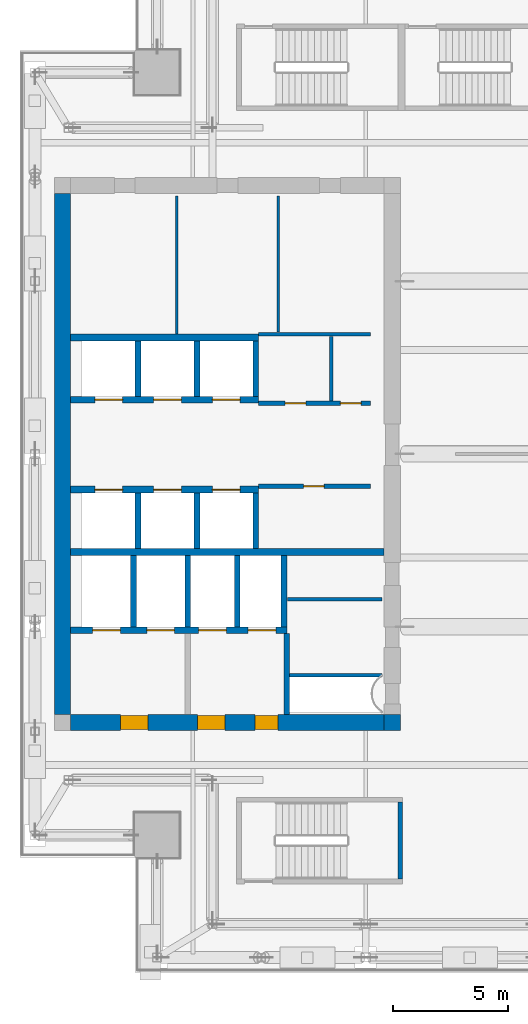
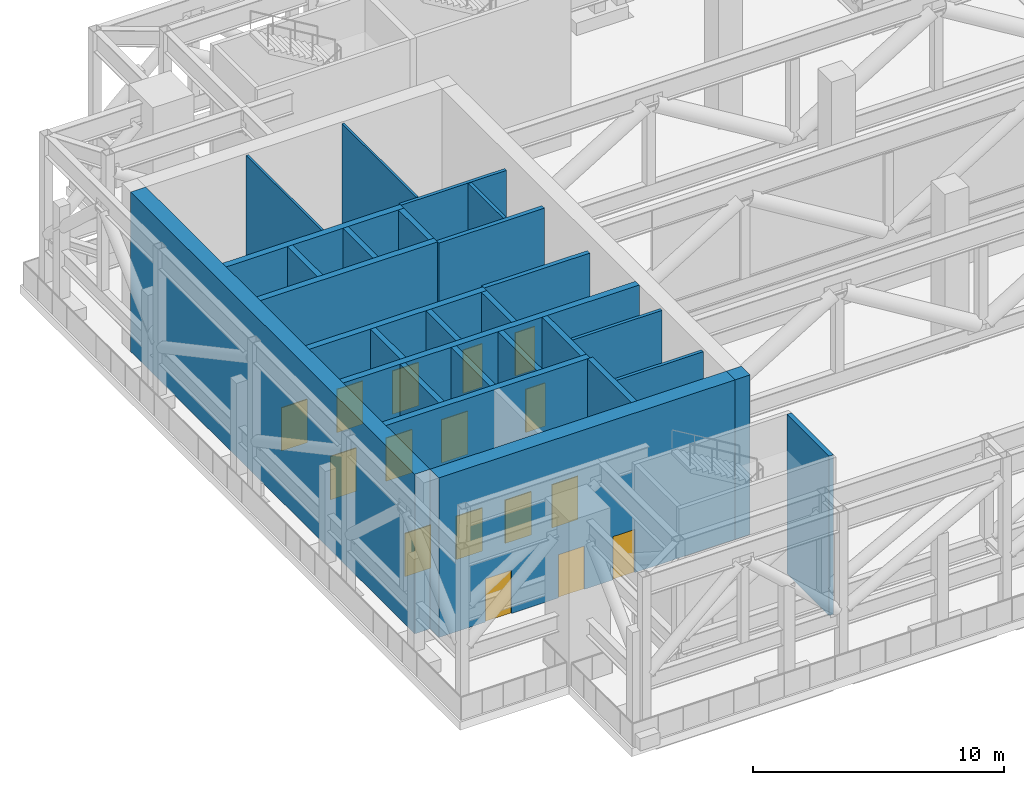
# One storey, part 8 of 15: 28 walls, 16 doors, 16 openings.
"""IFC4 building model written with IfcOpenShell, lengths in metres."""

from ifc_helpers import new_model, si_unit, direction, frame, frame_2d, origin, place, context, subcontext, project, spatial, rectangle, extrude, source, transform, mapped, material, layer, layer_set, type_object, element, fill, save


model = new_model("IFC4")

# Units and contexts
model_context = context("Model", 3, precision=1e-05, world=origin(), true_north=direction((0.0, 1.0)))
body_context = subcontext(model_context, "Body", "Model", "MODEL_VIEW")
ifc_project = project(units=[si_unit("LENGTHUNIT", "METRE"), si_unit("AREAUNIT", "SQUARE_METRE"), si_unit("VOLUMEUNIT", "CUBIC_METRE"), si_unit("PLANEANGLEUNIT", "RADIAN"), si_unit("MASSUNIT", "GRAM", prefix="KILO")], contexts=[model_context])

# Site, building, storey
site_placement = place(None, origin())
site = spatial("IfcSite", under=ifc_project, at=site_placement, CompositionType="ELEMENT")
building_placement = place(site_placement, origin())
building = spatial("IfcBuilding", under=site, at=building_placement, Name="Khomas Fold Tower", CompositionType="ELEMENT")
storey_placement = place(building_placement, frame((0.0, 0.0, 274.199951171875)))
storey = spatial("IfcBuildingStorey", under=building, at=storey_placement, Name="L62", CompositionType="ELEMENT", Elevation=274.199951171875)

# Wall, openings, doors
ifc_material_1 = material(Name="Concrete C60/75", Category="concrete")
ifc_layer_1 = layer(ifc_material_1, 0.699951171875)
ifc_layer_set_1 = layer_set([ifc_layer_1], Name="Concrete C60/75")
wall_type_1 = type_object("IfcWallType", Name="Core wall 700", PredefinedType="SHEAR", material=ifc_layer_set_1)
shared_shape_1 = source(origin(), body_context, "Body", "SweptSolid", [
    extrude(rectangle(XDim=13.60009765625, YDim=0.699951171875, at=frame_2d((6.800048828125, 0.0))), origin(), (0.0, 0.0, 1.0), 7.75),
])
wall_1_placement = place(storey_placement, frame((6.699951171875, 15.35009765625, 0.0), z_axis=(0.0, 0.0, 1.0), x_axis=(1.0, 0.0, 0.0)))
wall_1 = element("IfcWall", 1, at=wall_1_placement, inside=storey, type_object=wall_type_1, Name="Core wall CW-U-S-L49", PredefinedType="SHEAR", context=body_context, shape_type="MappedRepresentation", body=[
    mapped(shared_shape_1, transform((0.0, 0.0, 0.0))),
])
shared_shape_2 = source(origin(), body_context, "Body", "SweptSolid", [
    extrude(rectangle(XDim=1.199951171875, YDim=2.10009765625, at=frame_2d((0.60009765625, 1.050048828125))), frame((0.0, 0.35986328125, 0.0), z_axis=(0.0, -1.0, 0.0), x_axis=(1.0, 0.0, 0.0)), (0.0, 0.0, 1.0), 0.719970703125),
])
opening_1_placement = place(wall_1_placement, frame((5.5, 0.0, 0.0)))
opening_1 = element("IfcOpeningElement", 2, at=opening_1_placement, cuts=wall_1, Name="Opening 0009", PredefinedType="OPENING", context=body_context, shape_type="MappedRepresentation", body=[
    mapped(shared_shape_2, transform((0.0, 0.0, 0.0))),
])
opening_2_placement = place(wall_1_placement, frame((2.14990234375, 0.0, 0.0)))
opening_2 = element("IfcOpeningElement", 3, at=opening_2_placement, cuts=wall_1, Name="Opening 0009", PredefinedType="OPENING", context=body_context, shape_type="MappedRepresentation", body=[
    mapped(shared_shape_2, transform((0.0, 0.0, 0.0))),
])
shared_shape_3 = source(origin(), body_context, "Body", "SweptSolid", [
    extrude(rectangle(XDim=1.0, YDim=2.10009765625, at=frame_2d((0.5, 1.050048828125))), frame((0.0, 0.35986328125, 0.0), z_axis=(0.0, -1.0, 0.0), x_axis=(1.0, 0.0, 0.0)), (0.0, 0.0, 1.0), 0.719970703125),
])
opening_3_placement = place(wall_1_placement, frame((8.0, 0.0, 0.0)))
opening_3 = element("IfcOpeningElement", 4, at=opening_3_placement, cuts=wall_1, Name="Opening 0010", PredefinedType="OPENING", context=body_context, shape_type="MappedRepresentation", body=[
    mapped(shared_shape_3, transform((0.0, 0.0, 0.0))),
])
ifc_material_2 = material(Name="Steel door leaf", Category="steel")
door_type_1 = type_object("IfcDoorType", Name="Lobby door 1200x2100 right-hand", OperationType="SINGLE_SWING_RIGHT", PredefinedType="DOOR", material=ifc_material_2)
shared_shape_4 = source(origin(), body_context, "Body", "SweptSolid", [
    extrude(rectangle(XDim=1.199951171875, YDim=2.10009765625, at=frame_2d((0.60009765625, 1.050048828125))), frame((0.0, 0.2998046875, 0.0), z_axis=(0.0, -1.0, 0.0), x_axis=(1.0, 0.0, 0.0)), (0.0, 0.0, 1.0), 0.599853515625),
])
door_1_placement = place(opening_1_placement, origin())
door_1 = element("IfcDoor", 5, at=door_1_placement, inside=storey, type_object=door_type_1, Name="Lobby door", OperationType="SINGLE_SWING_RIGHT", OverallHeight=2.10009765625, OverallWidth=1.199951171875, PredefinedType="DOOR", context=body_context, shape_type="MappedRepresentation", body=[
    mapped(shared_shape_4, transform((0.0, 0.0, 0.0))),
])
fill(opening_1, door_1)
door_2_placement = place(opening_2_placement, origin())
door_2 = element("IfcDoor", 6, at=door_2_placement, inside=storey, type_object=door_type_1, Name="Lobby door", OperationType="SINGLE_SWING_RIGHT", OverallHeight=2.10009765625, OverallWidth=1.199951171875, PredefinedType="DOOR", context=body_context, shape_type="MappedRepresentation", body=[
    mapped(shared_shape_4, transform((0.0, 0.0, 0.0))),
])
fill(opening_2, door_2)
ifc_material_3 = material(Name="Steel door leaf", Category="steel")
door_type_2 = type_object("IfcDoorType", Name="Stair door 1000x2100 right-hand", OperationType="SINGLE_SWING_RIGHT", PredefinedType="DOOR", material=ifc_material_3)
shared_shape_5 = source(origin(), body_context, "Body", "SweptSolid", [
    extrude(rectangle(XDim=1.0, YDim=2.10009765625, at=frame_2d((0.5, 1.050048828125))), frame((0.0, 0.2998046875, 0.0), z_axis=(0.0, -1.0, 0.0), x_axis=(1.0, 0.0, 0.0)), (0.0, 0.0, 1.0), 0.599853515625),
])
door_3_placement = place(opening_3_placement, origin())
door_3 = element("IfcDoor", 7, at=door_3_placement, inside=storey, type_object=door_type_2, Name="Stair door", OperationType="SINGLE_SWING_RIGHT", OverallHeight=2.10009765625, OverallWidth=1.0, PredefinedType="DOOR", context=body_context, shape_type="MappedRepresentation", body=[
    mapped(shared_shape_5, transform((0.0, 0.0, 0.0))),
])
fill(opening_3, door_3)

# Walls
ifc_material_4 = material(Name="Concrete C60/75", Category="concrete")
ifc_layer_2 = layer(ifc_material_4, 0.699951171875)
ifc_layer_set_2 = layer_set([ifc_layer_2], Name="Concrete C60/75")
wall_type_2 = type_object("IfcWallType", Name="Core corner wall 700", PredefinedType="SHEAR", material=ifc_layer_set_2)
shared_shape_6 = source(origin(), body_context, "Body", "SweptSolid", [
    extrude(rectangle(XDim=0.699951171875, YDim=0.699951171875, at=frame_2d((0.35009765625, 0.0))), origin(), (0.0, 0.0, 1.0), 7.75),
])
wall_2_placement = place(storey_placement, frame((20.300048828125, 15.35009765625, 0.0), z_axis=(0.0, 0.0, 1.0), x_axis=(1.0, 0.0, 0.0)))
element("IfcWall", 8, at=wall_2_placement, inside=storey, type_object=wall_type_2, Name="Core wall CW-U-SE-L49", PredefinedType="SHEAR", context=body_context, shape_type="MappedRepresentation", body=[
    mapped(shared_shape_6, transform((0.0, 0.0, 0.0))),
])
shared_shape_7 = source(origin(), body_context, "Body", "SweptSolid", [
    extrude(rectangle(XDim=22.60009765625, YDim=0.699951171875, at=frame_2d((11.300048828125, 0.0))), origin(), (0.0, 0.0, 1.0), 7.75),
])
wall_3_placement = place(storey_placement, frame((6.35009765625, 15.699951171875, 0.0), z_axis=(0.0, 0.0, 1.0), x_axis=(0.0, 1.0, 0.0)))
element("IfcWall", 9, at=wall_3_placement, inside=storey, type_object=wall_type_1, Name="Core wall CW-U-W-L49", PredefinedType="SHEAR", context=body_context, shape_type="MappedRepresentation", body=[
    mapped(shared_shape_7, transform((0.0, 0.0, 0.0))),
])
ifc_material_5 = material(Name="Concrete C50/60", Category="concrete")
ifc_layer_3 = layer(ifc_material_5, 0.199951171875)
ifc_layer_set_3 = layer_set([ifc_layer_3], Name="Concrete C50/60")
wall_type_3 = type_object("IfcWallType", Name="Stair wall 200", PredefinedType="SHEAR", material=ifc_layer_set_3)
shared_shape_8 = source(origin(), body_context, "Body", "SweptSolid", [
    extrude(rectangle(XDim=3.349853515625, YDim=0.199951171875, at=frame_2d((1.6748046875, 0.0))), origin(), (0.0, 0.0, 1.0), 7.75),
])
wall_4_placement = place(storey_placement, frame((21.0, 8.550048828125, 0.0), z_axis=(0.0, 0.0, 1.0), x_axis=(0.0, 1.0, 0.0)))
element("IfcWall", 10, at=wall_4_placement, inside=storey, type_object=wall_type_3, Name="Stair wall SW-ST2-E", PredefinedType="SHEAR", context=body_context, shape_type="MappedRepresentation", body=[
    mapped(shared_shape_8, transform((0.0, 0.0, 0.0))),
])
ifc_material_6 = material(Name="Concrete C50/60", Category="concrete")
ifc_layer_4 = layer(ifc_material_6, 0.300048828125)
ifc_layer_set_4 = layer_set([ifc_layer_4], Name="Concrete C50/60")
wall_type_4 = type_object("IfcWallType", Name="Shaft wall 300", PredefinedType="STANDARD", material=ifc_layer_set_4)
shared_shape_9 = source(origin(), body_context, "Body", "SweptSolid", [
    extrude(rectangle(XDim=13.60009765625, YDim=0.300048828125, at=frame_2d((6.800048828125, 0.0))), origin(), (0.0, 0.0, 1.0), 7.75),
])
wall_5_placement = place(storey_placement, frame((6.699951171875, 22.75, 0.0), z_axis=(0.0, 0.0, 1.0), x_axis=(1.0, 0.0, 0.0)))
element("IfcWall", 11, at=wall_5_placement, inside=storey, type_object=wall_type_4, Name="Core wall SW-FS-B", PredefinedType="STANDARD", context=body_context, shape_type="MappedRepresentation", body=[
    mapped(shared_shape_9, transform((0.0, 0.0, 0.0))),
])

# Wall, openings, doors
shared_shape_10 = source(origin(), body_context, "Body", "SweptSolid", [
    extrude(rectangle(XDim=9.375, YDim=0.300048828125, at=frame_2d((4.6875, 0.0))), origin(), (0.0, 0.0, 1.0), 7.75),
])
wall_6_placement = place(storey_placement, frame((6.699951171875, 19.35009765625, 0.0), z_axis=(0.0, 0.0, 1.0), x_axis=(1.0, 0.0, 0.0)))
wall_6 = element("IfcWall", 12, at=wall_6_placement, inside=storey, type_object=wall_type_4, Name="Core wall SW-FS-F", PredefinedType="STANDARD", context=body_context, shape_type="MappedRepresentation", body=[
    mapped(shared_shape_10, transform((0.0, 0.0, 0.0))),
])
shared_shape_11 = source(origin(), body_context, "Body", "SweptSolid", [
    extrude(rectangle(XDim=1.199951171875, YDim=2.10009765625, at=frame_2d((0.60009765625, 1.050048828125))), frame((0.0, 0.159912109375, 0.0), z_axis=(0.0, -1.0, 0.0), x_axis=(1.0, 0.0, 0.0)), (0.0, 0.0, 1.0), 0.320068359375),
])
opening_4_placement = place(wall_6_placement, frame((0.949951171875, 0.0, 0.0)))
opening_4 = element("IfcOpeningElement", 13, at=opening_4_placement, cuts=wall_6, Name="Opening LD-SV1", PredefinedType="OPENING", context=body_context, shape_type="MappedRepresentation", body=[
    mapped(shared_shape_11, transform((0.0, 0.0, 0.0))),
])
opening_5_placement = place(wall_6_placement, frame((3.300048828125, 0.0, 0.0)))
opening_5 = element("IfcOpeningElement", 14, at=opening_5_placement, cuts=wall_6, Name="Opening LD-SV2", PredefinedType="OPENING", context=body_context, shape_type="MappedRepresentation", body=[
    mapped(shared_shape_11, transform((0.0, 0.0, 0.0))),
])
opening_6_placement = place(wall_6_placement, frame((5.550048828125, 0.0, 0.0)))
opening_6 = element("IfcOpeningElement", 15, at=opening_6_placement, cuts=wall_6, Name="Opening LD-FF1", PredefinedType="OPENING", context=body_context, shape_type="MappedRepresentation", body=[
    mapped(shared_shape_11, transform((0.0, 0.0, 0.0))),
])
opening_7_placement = place(wall_6_placement, frame((7.699951171875, 0.0, 0.0)))
opening_7 = element("IfcOpeningElement", 16, at=opening_7_placement, cuts=wall_6, Name="Opening LD-FF2", PredefinedType="OPENING", context=body_context, shape_type="MappedRepresentation", body=[
    mapped(shared_shape_11, transform((0.0, 0.0, 0.0))),
])
ifc_material_7 = material(Name="Steel door leaf", Category="steel")
door_type_3 = type_object("IfcDoorType", Name="Landing door 1200x2100", OperationType="DOUBLE_DOOR_SLIDING", PredefinedType="DOOR", material=ifc_material_7)
shared_shape_12 = source(origin(), body_context, "Body", "SweptSolid", [
    extrude(rectangle(XDim=1.199951171875, YDim=2.10009765625, at=frame_2d((0.60009765625, 1.050048828125))), frame((0.0, 0.02490234375, 0.0), z_axis=(0.0, -1.0, 0.0), x_axis=(1.0, 0.0, 0.0)), (0.0, 0.0, 1.0), 0.050048828125),
])
door_4_placement = place(opening_4_placement, origin())
door_4 = element("IfcDoor", 17, at=door_4_placement, inside=storey, type_object=door_type_3, Name="Lift landing door", OperationType="DOUBLE_DOOR_SLIDING", OverallHeight=2.10009765625, OverallWidth=1.199951171875, PredefinedType="DOOR", context=body_context, shape_type="MappedRepresentation", body=[
    mapped(shared_shape_12, transform((0.0, 0.0, 0.0))),
])
fill(opening_4, door_4)
door_5_placement = place(opening_5_placement, origin())
door_5 = element("IfcDoor", 18, at=door_5_placement, inside=storey, type_object=door_type_3, Name="Lift landing door", OperationType="DOUBLE_DOOR_SLIDING", OverallHeight=2.10009765625, OverallWidth=1.199951171875, PredefinedType="DOOR", context=body_context, shape_type="MappedRepresentation", body=[
    mapped(shared_shape_12, transform((0.0, 0.0, 0.0))),
])
fill(opening_5, door_5)
door_6_placement = place(opening_6_placement, origin())
door_6 = element("IfcDoor", 19, at=door_6_placement, inside=storey, type_object=door_type_3, Name="Lift landing door", OperationType="DOUBLE_DOOR_SLIDING", OverallHeight=2.10009765625, OverallWidth=1.199951171875, PredefinedType="DOOR", context=body_context, shape_type="MappedRepresentation", body=[
    mapped(shared_shape_12, transform((0.0, 0.0, 0.0))),
])
fill(opening_6, door_6)
door_7_placement = place(opening_7_placement, origin())
door_7 = element("IfcDoor", 20, at=door_7_placement, inside=storey, type_object=door_type_3, Name="Lift landing door", OperationType="DOUBLE_DOOR_SLIDING", OverallHeight=2.10009765625, OverallWidth=1.199951171875, PredefinedType="DOOR", context=body_context, shape_type="MappedRepresentation", body=[
    mapped(shared_shape_12, transform((0.0, 0.0, 0.0))),
])
fill(opening_7, door_7)

# Wall
shared_shape_13 = source(origin(), body_context, "Body", "SweptSolid", [
    extrude(rectangle(XDim=8.150146484375, YDim=0.300048828125, at=frame_2d((4.0751953125, 0.0))), origin(), (0.0, 0.0, 1.0), 7.75),
])
wall_7_placement = place(storey_placement, frame((6.699951171875, 32.050048828125, 0.0), z_axis=(0.0, 0.0, 1.0), x_axis=(1.0, 0.0, 0.0)))
element("IfcWall", 21, at=wall_7_placement, inside=storey, type_object=wall_type_4, Name="Core wall SW-HRN-B", PredefinedType="STANDARD", context=body_context, shape_type="MappedRepresentation", body=[
    mapped(shared_shape_13, transform((0.0, 0.0, 0.0))),
])

# Wall, openings, doors
wall_8_placement = place(storey_placement, frame((6.699951171875, 29.35009765625, 0.0), z_axis=(0.0, 0.0, 1.0), x_axis=(1.0, 0.0, 0.0)))
wall_8 = element("IfcWall", 22, at=wall_8_placement, inside=storey, type_object=wall_type_4, Name="Core wall SW-HRN-F", PredefinedType="STANDARD", context=body_context, shape_type="MappedRepresentation", body=[
    mapped(shared_shape_13, transform((0.0, 0.0, 0.0))),
])
opening_8_placement = place(wall_8_placement, frame((1.050048828125, 0.0, 0.0)))
opening_8 = element("IfcOpeningElement", 23, at=opening_8_placement, cuts=wall_8, Name="Opening LD-HR4", PredefinedType="OPENING", context=body_context, shape_type="MappedRepresentation", body=[
    mapped(shared_shape_11, transform((0.0, 0.0, 0.0))),
])
opening_9_placement = place(wall_8_placement, frame((3.60009765625, 0.0, 0.0)))
opening_9 = element("IfcOpeningElement", 24, at=opening_9_placement, cuts=wall_8, Name="Opening LD-HR5", PredefinedType="OPENING", context=body_context, shape_type="MappedRepresentation", body=[
    mapped(shared_shape_11, transform((0.0, 0.0, 0.0))),
])
opening_10_placement = place(wall_8_placement, frame((6.14990234375, 0.0, 0.0)))
opening_10 = element("IfcOpeningElement", 25, at=opening_10_placement, cuts=wall_8, Name="Opening LD-HR6", PredefinedType="OPENING", context=body_context, shape_type="MappedRepresentation", body=[
    mapped(shared_shape_11, transform((0.0, 0.0, 0.0))),
])
door_8_placement = place(opening_8_placement, origin())
door_8 = element("IfcDoor", 26, at=door_8_placement, inside=storey, type_object=door_type_3, Name="Lift landing door", OperationType="DOUBLE_DOOR_SLIDING", OverallHeight=2.10009765625, OverallWidth=1.199951171875, PredefinedType="DOOR", context=body_context, shape_type="MappedRepresentation", body=[
    mapped(shared_shape_12, transform((0.0, 0.0, 0.0))),
])
fill(opening_8, door_8)
door_9_placement = place(opening_9_placement, origin())
door_9 = element("IfcDoor", 27, at=door_9_placement, inside=storey, type_object=door_type_3, Name="Lift landing door", OperationType="DOUBLE_DOOR_SLIDING", OverallHeight=2.10009765625, OverallWidth=1.199951171875, PredefinedType="DOOR", context=body_context, shape_type="MappedRepresentation", body=[
    mapped(shared_shape_12, transform((0.0, 0.0, 0.0))),
])
fill(opening_9, door_9)
door_10_placement = place(opening_10_placement, origin())
door_10 = element("IfcDoor", 28, at=door_10_placement, inside=storey, type_object=door_type_3, Name="Lift landing door", OperationType="DOUBLE_DOOR_SLIDING", OverallHeight=2.10009765625, OverallWidth=1.199951171875, PredefinedType="DOOR", context=body_context, shape_type="MappedRepresentation", body=[
    mapped(shared_shape_12, transform((0.0, 0.0, 0.0))),
])
fill(opening_10, door_10)

wall_9_placement = place(storey_placement, frame((6.699951171875, 25.449951171875, 0.0), z_axis=(0.0, 0.0, 1.0), x_axis=(1.0, 0.0, 0.0)))
wall_9 = element("IfcWall", 29, at=wall_9_placement, inside=storey, type_object=wall_type_4, Name="Core wall SW-HRS-F", PredefinedType="STANDARD", context=body_context, shape_type="MappedRepresentation", body=[
    mapped(shared_shape_13, transform((0.0, 0.0, 0.0))),
])
opening_11_placement = place(wall_9_placement, frame((1.050048828125, 0.0, 0.0)))
opening_11 = element("IfcOpeningElement", 30, at=opening_11_placement, cuts=wall_9, Name="Opening LD-HR1", PredefinedType="OPENING", context=body_context, shape_type="MappedRepresentation", body=[
    mapped(shared_shape_11, transform((0.0, 0.0, 0.0))),
])
opening_12_placement = place(wall_9_placement, frame((3.60009765625, 0.0, 0.0)))
opening_12 = element("IfcOpeningElement", 31, at=opening_12_placement, cuts=wall_9, Name="Opening LD-HR2", PredefinedType="OPENING", context=body_context, shape_type="MappedRepresentation", body=[
    mapped(shared_shape_11, transform((0.0, 0.0, 0.0))),
])
opening_13_placement = place(wall_9_placement, frame((6.14990234375, 0.0, 0.0)))
opening_13 = element("IfcOpeningElement", 32, at=opening_13_placement, cuts=wall_9, Name="Opening LD-HR3", PredefinedType="OPENING", context=body_context, shape_type="MappedRepresentation", body=[
    mapped(shared_shape_11, transform((0.0, 0.0, 0.0))),
])
door_11_placement = place(opening_11_placement, origin())
door_11 = element("IfcDoor", 33, at=door_11_placement, inside=storey, type_object=door_type_3, Name="Lift landing door", OperationType="DOUBLE_DOOR_SLIDING", OverallHeight=2.10009765625, OverallWidth=1.199951171875, PredefinedType="DOOR", context=body_context, shape_type="MappedRepresentation", body=[
    mapped(shared_shape_12, transform((0.0, 0.0, 0.0))),
])
fill(opening_11, door_11)
door_12_placement = place(opening_12_placement, origin())
door_12 = element("IfcDoor", 34, at=door_12_placement, inside=storey, type_object=door_type_3, Name="Lift landing door", OperationType="DOUBLE_DOOR_SLIDING", OverallHeight=2.10009765625, OverallWidth=1.199951171875, PredefinedType="DOOR", context=body_context, shape_type="MappedRepresentation", body=[
    mapped(shared_shape_12, transform((0.0, 0.0, 0.0))),
])
fill(opening_12, door_12)
door_13_placement = place(opening_13_placement, origin())
door_13 = element("IfcDoor", 35, at=door_13_placement, inside=storey, type_object=door_type_3, Name="Lift landing door", OperationType="DOUBLE_DOOR_SLIDING", OverallHeight=2.10009765625, OverallWidth=1.199951171875, PredefinedType="DOOR", context=body_context, shape_type="MappedRepresentation", body=[
    mapped(shared_shape_12, transform((0.0, 0.0, 0.0))),
])
fill(opening_13, door_13)

# Walls
ifc_material_8 = material(Name="Concrete C50/60", Category="concrete")
ifc_layer_5 = layer(ifc_material_8, 0.25)
ifc_layer_set_5 = layer_set([ifc_layer_5], Name="Concrete C50/60")
wall_type_5 = type_object("IfcWallType", Name="Shaft wall 250", PredefinedType="STANDARD", material=ifc_layer_set_5)
shared_shape_14 = source(origin(), body_context, "Body", "SweptSolid", [
    extrude(rectangle(XDim=3.10009765625, YDim=0.25, at=frame_2d((1.550048828125, 0.0))), origin(), (0.0, 0.0, 1.0), 7.75),
])
for number, where, z_axis, x_axis, name in (
    (36, (9.425048828125, 19.5, 0.0), (0.0, 0.0, 1.0), (0.0, 1.0, 0.0), "Core wall SW-FS-P1"),
    (37, (11.77490234375, 19.5, 0.0), (0.0, 0.0, 1.0), (0.0, 1.0, 0.0), "Core wall SW-FS-P2"),
    (38, (13.925048828125, 19.5, 0.0), (0.0, 0.0, 1.0), (0.0, 1.0, 0.0), "Core wall SW-FS-P3"),
    (39, (15.949951171875, 19.5, 0.0), (0.0, 0.0, 1.0), (0.0, 1.0, 0.0), "Core wall SW-FS-PE"),
):
    element("IfcWall", number, at=place(storey_placement, frame(where, z_axis=z_axis, x_axis=x_axis)), inside=storey, type_object=wall_type_5, Name=name, PredefinedType="STANDARD", context=body_context, shape_type="MappedRepresentation", body=[
        mapped(shared_shape_14, transform((0.0, 0.0, 0.0))),
    ])
shared_shape_15 = source(origin(), body_context, "Body", "SweptSolid", [
    extrude(rectangle(XDim=2.39990234375, YDim=0.25, at=frame_2d((1.199951171875, 0.0))), origin(), (0.0, 0.0, 1.0), 7.75),
])
for number, where, z_axis, x_axis, name in (
    (40, (9.625, 29.5, 0.0), (0.0, 0.0, 1.0), (0.0, 1.0, 0.0), "Core wall SW-HRN-P1"),
    (41, (12.175048828125, 29.5, 0.0), (0.0, 0.0, 1.0), (0.0, 1.0, 0.0), "Core wall SW-HRN-P2"),
    (42, (14.72509765625, 29.5, 0.0), (0.0, 0.0, 1.0), (0.0, 1.0, 0.0), "Core wall SW-HRN-PE"),
):
    element("IfcWall", number, at=place(storey_placement, frame(where, z_axis=z_axis, x_axis=x_axis)), inside=storey, type_object=wall_type_5, Name=name, PredefinedType="STANDARD", context=body_context, shape_type="MappedRepresentation", body=[
        mapped(shared_shape_15, transform((0.0, 0.0, 0.0))),
    ])
shared_shape_16 = source(origin(), body_context, "Body", "SweptSolid", [
    extrude(rectangle(XDim=2.400146484375, YDim=0.25, at=frame_2d((1.2001953125, 0.0))), origin(), (0.0, 0.0, 1.0), 7.75),
])
for number, where, z_axis, x_axis, name in (
    (43, (9.625, 22.89990234375, 0.0), (0.0, 0.0, 1.0), (0.0, 1.0, 0.0), "Core wall SW-HRS-P1"),
    (44, (12.175048828125, 22.89990234375, 0.0), (0.0, 0.0, 1.0), (0.0, 1.0, 0.0), "Core wall SW-HRS-P2"),
    (45, (14.72509765625, 22.89990234375, 0.0), (0.0, 0.0, 1.0), (0.0, 1.0, 0.0), "Core wall SW-HRS-PE"),
):
    element("IfcWall", number, at=place(storey_placement, frame(where, z_axis=z_axis, x_axis=x_axis)), inside=storey, type_object=wall_type_5, Name=name, PredefinedType="STANDARD", context=body_context, shape_type="MappedRepresentation", body=[
        mapped(shared_shape_16, transform((0.0, 0.0, 0.0))),
    ])
ifc_material_9 = material(Name="Concrete C50/60", Category="concrete")
ifc_layer_6 = layer(ifc_material_9, 0.25)
ifc_layer_set_6 = layer_set([ifc_layer_6], Name="Concrete C50/60")
wall_type_6 = type_object("IfcWallType", Name="Lobby wall 250", PredefinedType="STANDARD", material=ifc_layer_set_6)
shared_shape_17 = source(origin(), body_context, "Body", "SweptSolid", [
    extrude(rectangle(XDim=3.5, YDim=0.25, at=frame_2d((1.75, 0.0))), origin(), (0.0, 0.0, 1.0), 7.75),
])
wall_10_placement = place(storey_placement, frame((16.074951171875, 15.699951171875, 0.0), z_axis=(0.0, 0.0, 1.0), x_axis=(0.0, 1.0, 0.0)))
element("IfcWall", 46, at=wall_10_placement, inside=storey, type_object=wall_type_6, Name="Core wall SW-FS-LOB-E", PredefinedType="STANDARD", context=body_context, shape_type="MappedRepresentation", body=[
    mapped(shared_shape_17, transform((0.0, 0.0, 0.0))),
])
ifc_material_10 = material(Name="Plasterboard fire partition")
ifc_layer_7 = layer(ifc_material_10, 0.14990234375)
ifc_layer_set_7 = layer_set([ifc_layer_7], Name="Plasterboard fire partition")
wall_type_7 = type_object("IfcWallType", Name="Plant room wall PW3 150", PredefinedType="PARTITIONING", material=ifc_layer_set_7)
shared_shape_18 = source(origin(), body_context, "Body", "SweptSolid", [
    extrude(rectangle(XDim=4.0, YDim=0.14990234375, at=frame_2d((2.0, 0.0))), origin(), (0.0, 0.0, 1.0), 7.75),
])
wall_11_placement = place(storey_placement, frame((16.199951171875, 17.39990234375, 0.0), z_axis=(0.0, 0.0, 1.0), x_axis=(1.0, 0.0, 0.0)))
element("IfcWall", 47, at=wall_11_placement, inside=storey, type_object=wall_type_7, Name="Plant room wall", PredefinedType="PARTITIONING", context=body_context, shape_type="MappedRepresentation", body=[
    mapped(shared_shape_18, transform((0.0, 0.0, 0.0))),
])
shared_shape_19 = source(origin(), body_context, "Body", "SweptSolid", [
    extrude(rectangle(XDim=4.099853515625, YDim=0.14990234375, at=frame_2d((2.0498046875, 0.0))), origin(), (0.0, 0.0, 1.0), 7.75),
])
wall_12_placement = place(storey_placement, frame((16.10009765625, 20.699951171875, 0.0), z_axis=(0.0, 0.0, 1.0), x_axis=(1.0, 0.0, 0.0)))
element("IfcWall", 48, at=wall_12_placement, inside=storey, type_object=wall_type_7, Name="Plant room wall", PredefinedType="PARTITIONING", context=body_context, shape_type="MappedRepresentation", body=[
    mapped(shared_shape_19, transform((0.0, 0.0, 0.0))),
])

# Wall, opening, door
ifc_material_11 = material(Name="Concrete C30/37", Category="concrete")
ifc_layer_8 = layer(ifc_material_11, 0.199951171875)
ifc_layer_set_8 = layer_set([ifc_layer_8], Name="Concrete C30/37")
wall_type_8 = type_object("IfcWallType", Name="Lobby wall PW4 200", PredefinedType="PARTITIONING", material=ifc_layer_set_8)
shared_shape_20 = source(origin(), body_context, "Body", "SweptSolid", [
    extrude(rectangle(XDim=4.849853515625, YDim=0.199951171875, at=frame_2d((2.4248046875, 0.0))), origin(), (0.0, 0.0, 1.0), 7.75),
])
wall_13_placement = place(storey_placement, frame((14.85009765625, 25.60009765625, 0.0), z_axis=(0.0, 0.0, 1.0), x_axis=(1.0, 0.0, 0.0)))
wall_13 = element("IfcWall", 49, at=wall_13_placement, inside=storey, type_object=wall_type_8, Name="Lobby wall", PredefinedType="PARTITIONING", context=body_context, shape_type="MappedRepresentation", body=[
    mapped(shared_shape_20, transform((0.0, 0.0, 0.0))),
])
shared_shape_21 = source(origin(), body_context, "Body", "SweptSolid", [
    extrude(rectangle(XDim=0.89990234375, YDim=2.10009765625, at=frame_2d((0.449951171875, 1.050048828125))), frame((0.0, 0.10986328125, 0.0), z_axis=(0.0, -1.0, 0.0), x_axis=(1.0, 0.0, 0.0)), (0.0, 0.0, 1.0), 0.219970703125),
])
opening_14_placement = place(wall_13_placement, frame((1.949951171875, 0.0, 0.0)))
opening_14 = element("IfcOpeningElement", 50, at=opening_14_placement, cuts=wall_13, Name="Opening 0003", PredefinedType="OPENING", context=body_context, shape_type="MappedRepresentation", body=[
    mapped(shared_shape_21, transform((0.0, 0.0, 0.0))),
])
ifc_material_12 = material(Name="Steel door leaf", Category="steel")
door_type_4 = type_object("IfcDoorType", Name="Plant room door 900x2100 right-hand", OperationType="SINGLE_SWING_RIGHT", PredefinedType="DOOR", material=ifc_material_12)
shared_shape_22 = source(origin(), body_context, "Body", "SweptSolid", [
    extrude(rectangle(XDim=0.89990234375, YDim=2.10009765625, at=frame_2d((0.449951171875, 1.050048828125))), frame((0.0, 0.02490234375, 0.0), z_axis=(0.0, -1.0, 0.0), x_axis=(1.0, 0.0, 0.0)), (0.0, 0.0, 1.0), 0.050048828125),
])
door_14_placement = place(opening_14_placement, origin())
door_14 = element("IfcDoor", 51, at=door_14_placement, inside=storey, type_object=door_type_4, Name="Plant room door", OperationType="SINGLE_SWING_RIGHT", OverallHeight=2.10009765625, OverallWidth=0.89990234375, PredefinedType="DOOR", context=body_context, shape_type="MappedRepresentation", body=[
    mapped(shared_shape_22, transform((0.0, 0.0, 0.0))),
])
fill(opening_14, door_14)

# Wall, openings, doors
wall_14_placement = place(storey_placement, frame((14.85009765625, 29.199951171875, 0.0), z_axis=(0.0, 0.0, 1.0), x_axis=(1.0, 0.0, 0.0)))
wall_14 = element("IfcWall", 52, at=wall_14_placement, inside=storey, type_object=wall_type_8, Name="Lobby wall", PredefinedType="PARTITIONING", context=body_context, shape_type="MappedRepresentation", body=[
    mapped(shared_shape_20, transform((0.0, 0.0, 0.0))),
])
opening_15_placement = place(wall_14_placement, frame((1.14990234375, 0.0, 0.0)))
opening_15 = element("IfcOpeningElement", 53, at=opening_15_placement, cuts=wall_14, Name="Opening 0003", PredefinedType="OPENING", context=body_context, shape_type="MappedRepresentation", body=[
    mapped(shared_shape_21, transform((0.0, 0.0, 0.0))),
])
opening_16_placement = place(wall_14_placement, frame((3.550048828125, 0.0, 0.0)))
opening_16 = element("IfcOpeningElement", 54, at=opening_16_placement, cuts=wall_14, Name="Opening 0002", PredefinedType="OPENING", context=body_context, shape_type="MappedRepresentation", body=[
    mapped(shared_shape_21, transform((0.0, 0.0, 0.0))),
])
door_15_placement = place(opening_15_placement, origin())
door_15 = element("IfcDoor", 55, at=door_15_placement, inside=storey, type_object=door_type_4, Name="Plant room door", OperationType="SINGLE_SWING_RIGHT", OverallHeight=2.10009765625, OverallWidth=0.89990234375, PredefinedType="DOOR", context=body_context, shape_type="MappedRepresentation", body=[
    mapped(shared_shape_22, transform((0.0, 0.0, 0.0))),
])
fill(opening_15, door_15)
ifc_material_13 = material(Name="Steel door leaf", Category="steel")
door_type_5 = type_object("IfcDoorType", Name="Plant room door 900x2100 left-hand", OperationType="SINGLE_SWING_LEFT", PredefinedType="DOOR", material=ifc_material_13)
door_16_placement = place(opening_16_placement, origin())
door_16 = element("IfcDoor", 56, at=door_16_placement, inside=storey, type_object=door_type_5, Name="Plant room door", OperationType="SINGLE_SWING_LEFT", OverallHeight=2.10009765625, OverallWidth=0.89990234375, PredefinedType="DOOR", context=body_context, shape_type="MappedRepresentation", body=[
    mapped(shared_shape_22, transform((0.0, 0.0, 0.0))),
])
fill(opening_16, door_16)

# Walls
shared_shape_23 = source(origin(), body_context, "Body", "SweptSolid", [
    extrude(rectangle(XDim=2.800048828125, YDim=0.14990234375, at=frame_2d((1.39990234375, 0.0))), origin(), (0.0, 0.0, 1.0), 7.75),
])
wall_15_placement = place(storey_placement, frame((18.0, 29.300048828125, 0.0), z_axis=(0.0, 0.0, 1.0), x_axis=(0.0, 1.0, 0.0)))
element("IfcWall", 57, at=wall_15_placement, inside=storey, type_object=wall_type_7, Name="Plant room wall", PredefinedType="PARTITIONING", context=body_context, shape_type="MappedRepresentation", body=[
    mapped(shared_shape_23, transform((0.0, 0.0, 0.0))),
])
ifc_material_14 = material(Name="Plasterboard partition")
ifc_layer_9 = layer(ifc_material_14, 0.10009765625)
ifc_layer_set_9 = layer_set([ifc_layer_9], Name="Plasterboard partition")
wall_type_9 = type_object("IfcWallType", Name="Partition PW1 100", PredefinedType="PARTITIONING", material=ifc_layer_set_9)
shared_shape_24 = source(origin(), body_context, "Body", "SweptSolid", [
    extrude(rectangle(XDim=6.0, YDim=0.10009765625, at=frame_2d((3.0, 0.0))), origin(), (0.0, 0.0, 1.0), 7.75),
])
wall_16_placement = place(storey_placement, frame((11.300048828125, 32.199951171875, 0.0), z_axis=(0.0, 0.0, 1.0), x_axis=(0.0, 1.0, 0.0)))
element("IfcWall", 58, at=wall_16_placement, inside=storey, type_object=wall_type_9, Name="Partition", PredefinedType="PARTITIONING", context=body_context, shape_type="MappedRepresentation", body=[
    mapped(shared_shape_24, transform((0.0, 0.0, 0.0))),
])
shared_shape_25 = source(origin(), body_context, "Body", "SweptSolid", [
    extrude(rectangle(XDim=4.849853515625, YDim=0.14990234375, at=frame_2d((2.4248046875, 0.0))), origin(), (0.0, 0.0, 1.0), 7.75),
])
wall_17_placement = place(storey_placement, frame((14.85009765625, 32.199951171875, 0.0), z_axis=(0.0, 0.0, 1.0), x_axis=(1.0, 0.0, 0.0)))
element("IfcWall", 59, at=wall_17_placement, inside=storey, type_object=wall_type_7, Name="Plant room wall", PredefinedType="PARTITIONING", context=body_context, shape_type="MappedRepresentation", body=[
    mapped(shared_shape_25, transform((0.0, 0.0, 0.0))),
])
shared_shape_26 = source(origin(), body_context, "Body", "SweptSolid", [
    extrude(rectangle(XDim=5.89990234375, YDim=0.10009765625, at=frame_2d((2.949951171875, 0.0))), origin(), (0.0, 0.0, 1.0), 7.75),
])
wall_18_placement = place(storey_placement, frame((15.699951171875, 32.300048828125, 0.0), z_axis=(0.0, 0.0, 1.0), x_axis=(0.0, 1.0, 0.0)))
element("IfcWall", 60, at=wall_18_placement, inside=storey, type_object=wall_type_9, Name="Partition", PredefinedType="PARTITIONING", context=body_context, shape_type="MappedRepresentation", body=[
    mapped(shared_shape_26, transform((0.0, 0.0, 0.0))),
])

save(model, "model.ifc")
